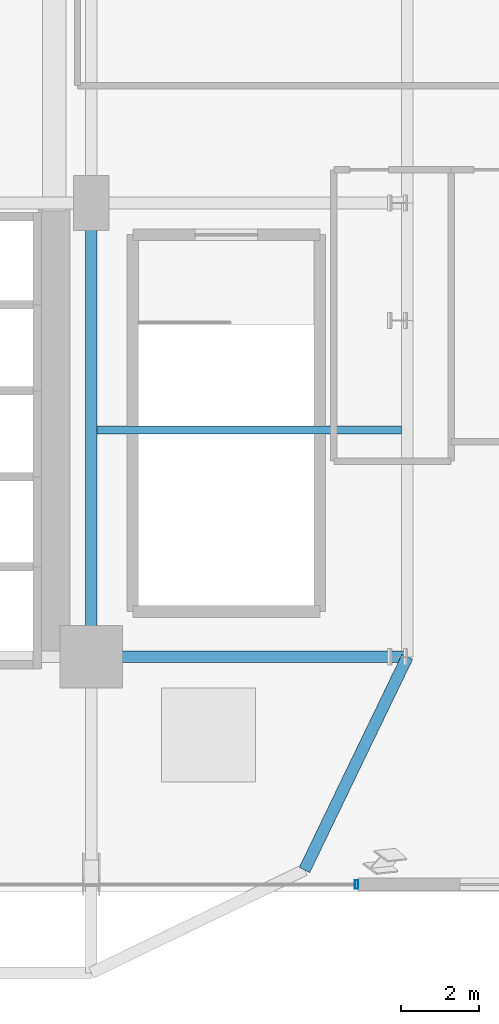
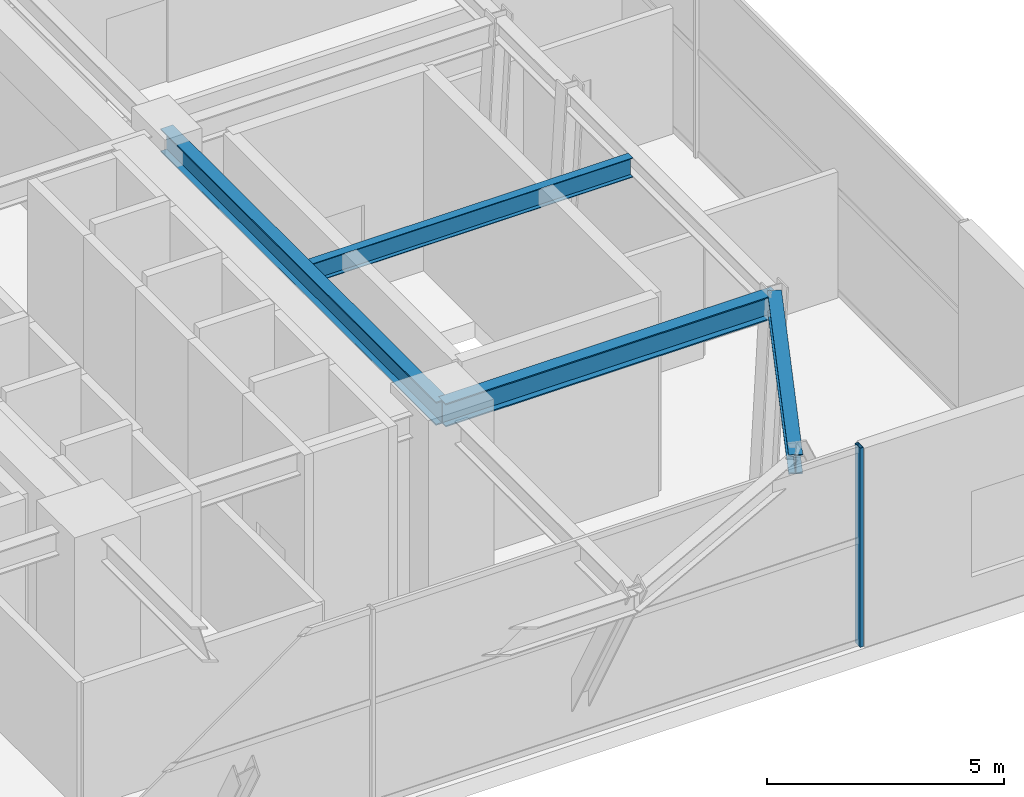
# One storey, part 8 of 29: 4 beams, 1 member, 1 element without a shape of its own.
"""IFC4 building model written with IfcOpenShell, lengths in metres."""

from ifc_helpers import new_model, si_unit, direction, frame, origin, origin_2d, place, context, subcontext, project, spatial, hollow_rectangle, i_section, extrude, source, transform, mapped, material, material_profile, profile_set, type_object, element, aggregate, save


model = new_model("IFC4")

# Units and contexts
model_context = context("Model", 3, precision=1e-05, world=origin(), true_north=direction((0.0, 1.0)))
body_context = subcontext(model_context, "Body", "Model", "MODEL_VIEW")
ifc_project = project(units=[si_unit("LENGTHUNIT", "METRE"), si_unit("AREAUNIT", "SQUARE_METRE"), si_unit("VOLUMEUNIT", "CUBIC_METRE"), si_unit("PLANEANGLEUNIT", "RADIAN"), si_unit("MASSUNIT", "GRAM", prefix="KILO")], contexts=[model_context])

# Site, building, storey
site_placement = place(None, origin())
site = spatial("IfcSite", under=ifc_project, at=site_placement, CompositionType="ELEMENT")
building_placement = place(site_placement, origin())
building = spatial("IfcBuilding", under=site, at=building_placement, Name="Nahalor Promenade Grand Hotel", CompositionType="ELEMENT")
storey_placement = place(building_placement, frame((0.0, 0.0, 27.0)))
storey = spatial("IfcBuildingStorey", under=building, at=storey_placement, Name="L05", CompositionType="ELEMENT", Elevation=27.0)

# Beams
ifc_material_1 = material(Name="Steel S355JR", Category="steel")
ifc_material_profile_1 = material_profile(ifc_material_1, i_section(OverallWidth=0.3, OverallDepth=0.6, WebThickness=0.0155, FlangeThickness=0.03, at=origin_2d()), Name="HEB 600")
ifc_profile_set_1 = profile_set([ifc_material_profile_1], Name="Steel S355JR")
beam_type_1 = type_object("IfcBeamType", Name="Beam-Girder-HEB600", PredefinedType="BEAM", material=ifc_profile_set_1)
shared_shape_1 = source(origin(), body_context, "Body", "SweptSolid", [
    extrude(i_section(OverallWidth=0.3, OverallDepth=0.6, WebThickness=0.0155, FlangeThickness=0.03, at=origin_2d()), origin(), (0.0, 0.0, 1.0), 11.60009765625),
])
beam_1_placement = place(storey_placement, frame((17.0, -17.0, 4.820068359375), z_axis=(0.0, 1.0, 0.0), x_axis=(-1.0, 0.0, 0.0)))
element("IfcBeam", 1, at=beam_1_placement, inside=storey, type_object=beam_type_1, Name="BM-L05-GY-5-1", PredefinedType="BEAM", context=body_context, shape_type="MappedRepresentation", body=[
    mapped(shared_shape_1, transform((0.0, 0.0, 0.0), scale=1.0)),
])
shared_shape_2 = source(origin(), body_context, "Body", "SweptSolid", [
    extrude(i_section(OverallWidth=0.3, OverallDepth=0.6, WebThickness=0.0155, FlangeThickness=0.03, at=origin_2d()), origin(), (0.0, 0.0, 1.0), 8.080078125),
])
beam_2_placement = place(storey_placement, frame((17.0, -17.0, 4.820068359375), z_axis=(1.0, 0.0, 0.0), x_axis=(0.0, 1.0, 0.0)))
element("IfcBeam", 2, at=beam_2_placement, inside=storey, type_object=beam_type_1, Name="BM-L05-GX-0-6", PredefinedType="BEAM", context=body_context, shape_type="MappedRepresentation", body=[
    mapped(shared_shape_2, transform((0.0, 0.0, 0.0), scale=1.0)),
])
ifc_material_profile_2 = material_profile(ifc_material_1, i_section(OverallWidth=0.3, OverallDepth=0.5, WebThickness=0.0145, FlangeThickness=0.028, at=origin_2d()), Name="HEB 500")
ifc_profile_set_2 = profile_set([ifc_material_profile_2], Name="Steel S355JR")
beam_type_2 = type_object("IfcBeamType", Name="Beam-Spandrel-HEB500", PredefinedType="SPANDREL", material=ifc_profile_set_2)
shared_shape_3 = source(origin(), body_context, "Body", "SweptSolid", [
    extrude(i_section(OverallWidth=0.3, OverallDepth=0.5, WebThickness=0.0145, FlangeThickness=0.028, at=origin_2d()), origin(), (0.0, 0.0, 1.0), 6.051513671875),
])
beam_3_placement = place(storey_placement, frame((22.449951171875, -22.449951171875, 4.8701171875), z_axis=(0.434630596492, 0.900608818852, 0.0), x_axis=(-0.900608818852, 0.434630596492, 0.0)))
element("IfcBeam", 3, at=beam_3_placement, inside=storey, type_object=beam_type_2, Name="BM-L05-SPC-SE-2", PredefinedType="SPANDREL", context=body_context, shape_type="MappedRepresentation", body=[
    mapped(shared_shape_3, transform((0.0, 0.0, 0.0), scale=1.0)),
])
ifc_material_profile_3 = material_profile(ifc_material_1, i_section(OverallWidth=0.2, OverallDepth=0.5, WebThickness=0.0102, FlangeThickness=0.016, at=origin_2d()), Name="IPE 500")
ifc_profile_set_3 = profile_set([ifc_material_profile_3], Name="Steel S355JR")
beam_type_3 = type_object("IfcBeamType", Name="Beam-Joist-IPE500", PredefinedType="JOIST", material=ifc_profile_set_3)
shared_shape_4 = source(origin(), body_context, "Body", "SweptSolid", [
    extrude(i_section(OverallWidth=0.2, OverallDepth=0.5, WebThickness=0.0102, FlangeThickness=0.016, at=origin_2d()), origin(), (0.0, 0.0, 1.0), 7.780029296875),
])
beam_4_placement = place(storey_placement, frame((17.14990234375, -11.199951171875, 4.8701171875), z_axis=(1.0, 0.0, 0.0), x_axis=(0.0, 1.0, 0.0)))
element("IfcBeam", 4, at=beam_4_placement, inside=storey, type_object=beam_type_3, Name="BM-L05-JSE-0-2", PredefinedType="JOIST", context=body_context, shape_type="MappedRepresentation", body=[
    mapped(shared_shape_4, transform((0.0, 0.0, 0.0), scale=1.0)),
])

# Curtain wall, member
ifc_material_2 = material(Name="Anodised Bronze Aluminium EN AW-6063 T6", Category="aluminium")
curtain_wall_type = type_object("IfcCurtainWallType", Name="CW1 Waterfront Podium Bronze Arcade Curtain Wall", PredefinedType="USERDEFINED", material=ifc_material_2)
curtain_wall_placement = place(storey_placement, origin())
curtain_wall = element("IfcCurtainWall", 5, at=curtain_wall_placement, inside=storey, type_object=curtain_wall_type, Name="L05 Curtain Wall CW-L05-S", ObjectType="UNITISED_CURTAIN_WALL", PredefinedType="USERDEFINED")
ifc_material_profile_4 = material_profile(ifc_material_2, hollow_rectangle(XDim=0.08, YDim=0.22, WallThickness=0.005, at=origin_2d()), Name="CWM 80x220x5")
ifc_profile_set_4 = profile_set([ifc_material_profile_4], Name="Anodised Bronze Aluminium EN AW-6063 T6")
member_type = type_object("IfcMemberType", Name="CWM1 Podium Bronze Mullion 80x220", PredefinedType="MULLION", material=ifc_profile_set_4)
shared_shape_5 = source(origin(), body_context, "Body", "SweptSolid", [
    extrude(hollow_rectangle(XDim=0.08, YDim=0.22, WallThickness=0.005, at=origin_2d()), origin(), (0.0, 0.0, 1.0), 5.1201171875),
])
member_placement = place(storey_placement, frame((23.780029296875, -22.820068359375, 0.0), z_axis=(0.0, 0.0, 1.0), x_axis=(1.0, 0.0, 0.0)))
member = element("IfcMember", 6, at=member_placement, type_object=member_type, Name="CW-L05-S Mullion 4", PredefinedType="MULLION", context=body_context, shape_type="MappedRepresentation", body=[
    mapped(shared_shape_5, transform((0.0, 0.0, 0.0), scale=1.0)),
])
aggregate(curtain_wall, [member])

save(model, "model.ifc")
